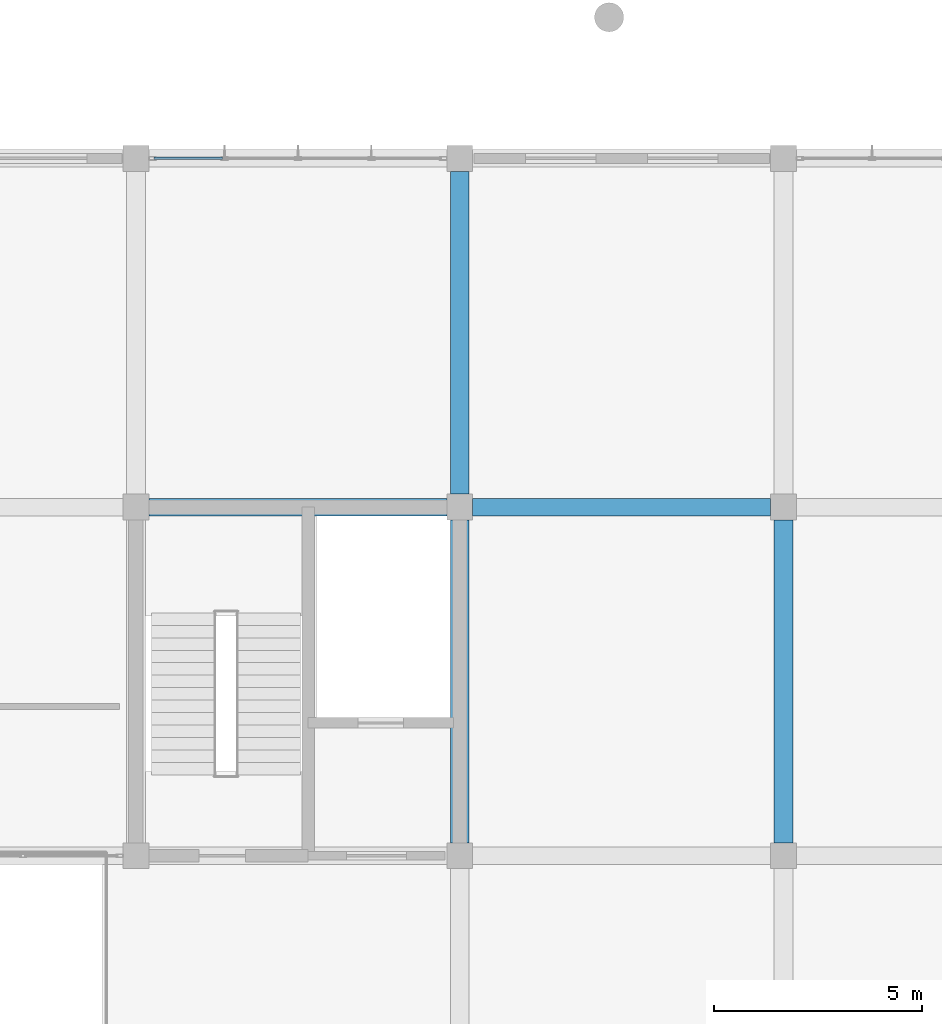
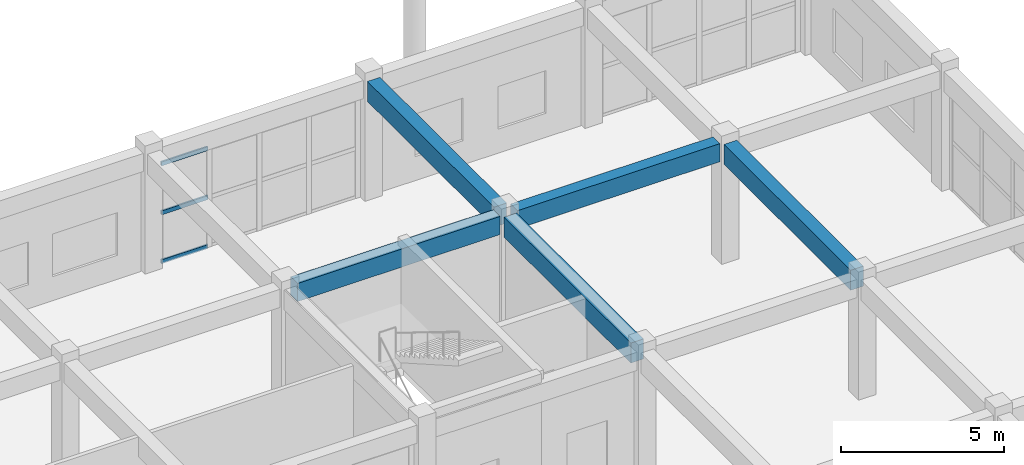
# One storey, part 111 of 167: 5 beams, 3 members, 1 element without a shape of its own.
"""IFC4 building model written with IfcOpenShell, lengths in metres."""

from ifc_helpers import new_model, si_unit, direction, frame, origin, origin_2d, place, context, subcontext, project, spatial, rectangle, hollow_rectangle, extrude, material, layer, layer_set, material_profile, profile_set, type_object, element, aggregate, save


model = new_model("IFC4")

# Units and contexts
model_context = context("Model", 3, precision=1e-05, world=origin(), true_north=direction((0.0, 1.0)))
body_context = subcontext(model_context, "Body", "Model", "MODEL_VIEW")
ifc_project = project(units=[si_unit("LENGTHUNIT", "METRE"), si_unit("AREAUNIT", "SQUARE_METRE"), si_unit("VOLUMEUNIT", "CUBIC_METRE"), si_unit("PLANEANGLEUNIT", "RADIAN"), si_unit("MASSUNIT", "GRAM", prefix="KILO")], contexts=[model_context])

# Site, building, storey
site_placement = place(None, origin())
site = spatial("IfcSite", under=ifc_project, at=site_placement, CompositionType="ELEMENT")
building_placement = place(site_placement, origin())
building = spatial("IfcBuilding", under=site, at=building_placement, Name="Zizhar Promenade General Hospital", CompositionType="ELEMENT")
storey_placement = place(building_placement, frame((0.0, 0.0, 9.60009765625)))
storey = spatial("IfcBuildingStorey", under=building, at=storey_placement, Name="L02", CompositionType="ELEMENT", Elevation=9.60009765625)

# Beams
ifc_material_1 = material(Name="Concrete C35/45", Category="concrete")
ifc_material_profile_1 = material_profile(ifc_material_1, rectangle(XDim=0.419921875, YDim=0.679931640625, at=origin_2d()))
ifc_profile_set_1 = profile_set([ifc_material_profile_1], Name="Concrete C35/45")
beam_type_1 = type_object("IfcBeamType", Name="BM-RC-420x680", PredefinedType="JOIST", material=ifc_profile_set_1)
beam_1_placement = place(storey_placement, frame((171.909912109375, 100.800048828125, 4.1298828125), z_axis=(1.0, 0.0, 0.0), x_axis=(0.0, 1.0, 0.0)))
element("IfcBeam", 1, at=beam_1_placement, inside=storey, type_object=beam_type_1, Name="Grid Beam X L02 (22-12)", PredefinedType="JOIST", context=body_context, shape_type="SweptSolid", body=[
    extrude(rectangle(XDim=0.419921875, YDim=0.679931640625, at=origin_2d()), origin(), (0.0, 0.0, 1.0), 7.18017578125),
])
beam_2_placement = place(storey_placement, frame((179.7099609375, 100.800048828125, 4.1298828125), z_axis=(1.0, 0.0, 0.0), x_axis=(0.0, 1.0, 0.0)))
element("IfcBeam", 2, at=beam_2_placement, inside=storey, type_object=beam_type_1, Name="Grid Beam X L02 (23-12)", PredefinedType="JOIST", context=body_context, shape_type="SweptSolid", body=[
    extrude(rectangle(XDim=0.419921875, YDim=0.679931640625, at=origin_2d()), origin(), (0.0, 0.0, 1.0), 7.179931640625),
])
ifc_material_2 = material(Name="Concrete C35/45", Category="concrete")
ifc_material_profile_2 = material_profile(ifc_material_2, rectangle(XDim=0.449951171875, YDim=0.75, at=origin_2d()))
ifc_profile_set_2 = profile_set([ifc_material_profile_2], Name="Concrete C35/45")
beam_type_2 = type_object("IfcBeamType", Name="BM-RC-450x750", PredefinedType="BEAM", material=ifc_profile_set_2)
beam_3_placement = place(storey_placement, frame((179.39990234375, 92.7099609375, 4.094970703125), z_axis=(0.0, 1.0, 0.0), x_axis=(-1.0, 0.0, 0.0)))
element("IfcBeam", 3, at=beam_3_placement, inside=storey, type_object=beam_type_2, Name="Grid Beam Y L02 (23-11)", PredefinedType="BEAM", context=body_context, shape_type="SweptSolid", body=[
    extrude(rectangle(XDim=0.449951171875, YDim=0.75, at=origin_2d()), origin(), (0.0, 0.0, 1.0), 7.780029296875),
])
beam_4_placement = place(storey_placement, frame((179.39990234375, 101.110107421875, 4.094970703125), z_axis=(0.0, 1.0, 0.0), x_axis=(-1.0, 0.0, 0.0)))
element("IfcBeam", 4, at=beam_4_placement, inside=storey, type_object=beam_type_2, Name="Grid Beam Y L02 (23-12)", PredefinedType="BEAM", context=body_context, shape_type="SweptSolid", body=[
    extrude(rectangle(XDim=0.449951171875, YDim=0.75, at=origin_2d()), origin(), (0.0, 0.0, 1.0), 7.77978515625),
])
beam_5_placement = place(storey_placement, frame((187.199951171875, 92.7099609375, 4.094970703125), z_axis=(0.0, 1.0, 0.0), x_axis=(-1.0, 0.0, 0.0)))
element("IfcBeam", 5, at=beam_5_placement, inside=storey, type_object=beam_type_2, Name="Grid Beam Y L02 (24-11)", PredefinedType="BEAM", context=body_context, shape_type="SweptSolid", body=[
    extrude(rectangle(XDim=0.449951171875, YDim=0.75, at=origin_2d()), origin(), (0.0, 0.0, 1.0), 7.780029296875),
])

# Curtain wall, members
ifc_material_3 = material(Name="Anodised aluminium 6063-T6 and low-E glass", Category="aluminium")
ifc_layer = layer(ifc_material_3, 0.159912109375)
ifc_layer_set = layer_set([ifc_layer], Name="Anodised aluminium 6063-T6 and low-E glass")
curtain_wall_type = type_object("IfcCurtainWallType", Name="CW-CLN-EXT", PredefinedType="NOTDEFINED", material=ifc_layer_set)
curtain_wall_placement = place(storey_placement, origin())
curtain_wall = element("IfcCurtainWall", 6, at=curtain_wall_placement, inside=storey, type_object=curtain_wall_type, Name="Outpatient North Curtain Wall L02-22", PredefinedType="NOTDEFINED")
ifc_material_4 = material(Name="Anodised aluminium 6063-T6", Category="aluminium")
ifc_material_profile_3 = material_profile(ifc_material_4, hollow_rectangle(XDim=0.06005859375, YDim=0.14990234375, WallThickness=0.00390625, at=origin_2d()))
ifc_profile_set_3 = profile_set([ifc_material_profile_3], Name="Anodised aluminium 6063-T6")
member_type = type_object("IfcMemberType", Name="CWT-ALU-150x60", PredefinedType="USERDEFINED", material=ifc_profile_set_3)
member_1_placement = place(storey_placement, frame((172.0400390625, 109.199951171875, 0.02978515625), z_axis=(1.0, 0.0, 0.0), x_axis=(0.0, 1.0, 0.0)))
member_1 = element("IfcMember", 7, at=member_1_placement, type_object=member_type, Name="CW-09 transom 1.1", ObjectType="TRANSOM", PredefinedType="USERDEFINED", context=body_context, shape_type="SweptSolid", body=[
    extrude(hollow_rectangle(XDim=0.06005859375, YDim=0.14990234375, WallThickness=0.00390625, at=origin_2d()), origin(), (0.0, 0.0, 1.0), 1.64990234375),
])
member_2_placement = place(storey_placement, frame((172.0400390625, 109.199951171875, 1.864990234375), z_axis=(1.0, 0.0, 0.0), x_axis=(0.0, 1.0, 0.0)))
member_2 = element("IfcMember", 8, at=member_2_placement, type_object=member_type, Name="CW-09 transom 1.2", ObjectType="TRANSOM", PredefinedType="USERDEFINED", context=body_context, shape_type="SweptSolid", body=[
    extrude(hollow_rectangle(XDim=0.06005859375, YDim=0.14990234375, WallThickness=0.00390625, at=origin_2d()), origin(), (0.0, 0.0, 1.0), 1.64990234375),
])
member_3_placement = place(storey_placement, frame((172.0400390625, 109.199951171875, 3.699951171875), z_axis=(1.0, 0.0, 0.0), x_axis=(0.0, 1.0, 0.0)))
member_3 = element("IfcMember", 9, at=member_3_placement, type_object=member_type, Name="CW-09 transom 1.3", ObjectType="TRANSOM", PredefinedType="USERDEFINED", context=body_context, shape_type="SweptSolid", body=[
    extrude(hollow_rectangle(XDim=0.06005859375, YDim=0.14990234375, WallThickness=0.00390625, at=origin_2d()), origin(), (0.0, 0.0, 1.0), 1.64990234375),
])
aggregate(curtain_wall, [member_1, member_2, member_3])

save(model, "model.ifc")
